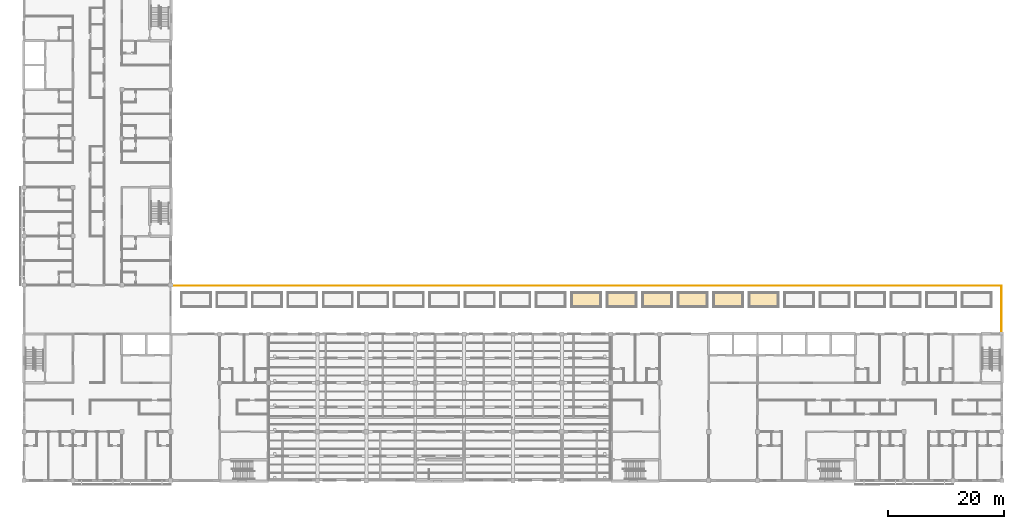
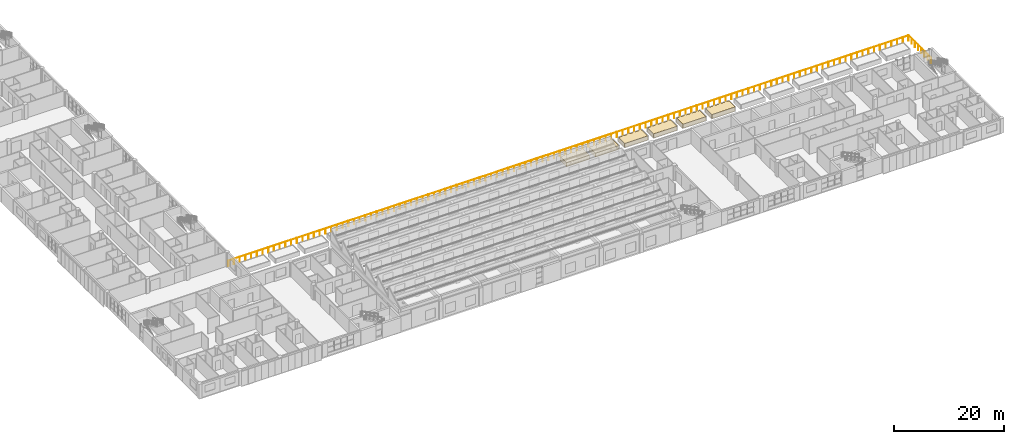
# One storey, part 58 of 61: 6 coverings, 1 railing.
"""IFC4 building model written with IfcOpenShell, lengths in metres."""

from ifc_helpers import new_model, si_unit, direction, frame, origin, origin_2d, place, context, subcontext, project, spatial, polyline, circle, outline, extrude, material, layer, layer_set, type_object, element, save


model = new_model("IFC4")

# Units and contexts
model_context = context("Model", 3, precision=1e-05, world=origin(), true_north=direction((0.0, 1.0)))
body_context = subcontext(model_context, "Body", "Model", "MODEL_VIEW")
ifc_project = project(units=[si_unit("LENGTHUNIT", "METRE"), si_unit("AREAUNIT", "SQUARE_METRE"), si_unit("VOLUMEUNIT", "CUBIC_METRE"), si_unit("PLANEANGLEUNIT", "RADIAN"), si_unit("MASSUNIT", "GRAM", prefix="KILO")], contexts=[model_context])

# Site, building, storey
site_placement = place(None, origin())
site = spatial("IfcSite", under=ifc_project, at=site_placement, CompositionType="ELEMENT")
building_placement = place(site_placement, origin())
building = spatial("IfcBuilding", under=site, at=building_placement, Name="Yavir Park General Hospital", CompositionType="ELEMENT")
storey_placement = place(building_placement, frame((0.0, 0.0, 15.300048828125)))
storey = spatial("IfcBuildingStorey", under=building, at=storey_placement, Name="L03", CompositionType="ELEMENT", Elevation=15.300048828125)

# Coverings
ifc_material_1 = material(Name="Green roof substrate")
ifc_layer = layer(ifc_material_1, 0.89990234375)
ifc_layer_set = layer_set([ifc_layer], Name="Green roof substrate")
covering_type = type_object("IfcCoveringType", Name="Green roof substrate 900", PredefinedType="FLOORING", material=ifc_layer_set)
covering_1_placement = place(storey_placement, origin())
element("IfcCovering", 1, at=covering_1_placement, inside=storey, type_object=covering_type, Name="Planting bed substrate 12", PredefinedType="FLOORING", context=body_context, shape_type="SweptSolid", body=[
    extrude(outline(polyline([(94.175048828125, 29.97509765625), (99.02490234375, 29.97509765625), (99.02490234375, 32.22509765625), (94.175048828125, 32.22509765625), (94.175048828125, 29.97509765625)])), origin(), (0.0, 0.0, 1.0), 0.89990234375),
])
covering_2_placement = place(storey_placement, origin())
element("IfcCovering", 2, at=covering_2_placement, inside=storey, type_object=covering_type, Name="Planting bed substrate 13", PredefinedType="FLOORING", context=body_context, shape_type="SweptSolid", body=[
    extrude(outline(polyline([(100.270751953125, 29.97509765625), (105.12060546875, 29.97509765625), (105.12060546875, 32.22509765625), (100.270751953125, 32.22509765625), (100.270751953125, 29.97509765625)])), origin(), (0.0, 0.0, 1.0), 0.89990234375),
])
covering_3_placement = place(storey_placement, origin())
element("IfcCovering", 3, at=covering_3_placement, inside=storey, type_object=covering_type, Name="Planting bed substrate 14", PredefinedType="FLOORING", context=body_context, shape_type="SweptSolid", body=[
    extrude(outline(polyline([(106.3662109375, 29.97509765625), (111.21630859375, 29.97509765625), (111.21630859375, 32.22509765625), (106.3662109375, 32.22509765625), (106.3662109375, 29.97509765625)])), origin(), (0.0, 0.0, 1.0), 0.89990234375),
])
covering_4_placement = place(storey_placement, origin())
element("IfcCovering", 4, at=covering_4_placement, inside=storey, type_object=covering_type, Name="Planting bed substrate 15", PredefinedType="FLOORING", context=body_context, shape_type="SweptSolid", body=[
    extrude(outline(polyline([(112.4619140625, 29.97509765625), (117.31201171875, 29.97509765625), (117.31201171875, 32.22509765625), (112.4619140625, 32.22509765625), (112.4619140625, 29.97509765625)])), origin(), (0.0, 0.0, 1.0), 0.89990234375),
])
covering_5_placement = place(storey_placement, origin())
element("IfcCovering", 5, at=covering_5_placement, inside=storey, type_object=covering_type, Name="Planting bed substrate 16", PredefinedType="FLOORING", context=body_context, shape_type="SweptSolid", body=[
    extrude(outline(polyline([(118.5576171875, 29.97509765625), (123.40771484375, 29.97509765625), (123.40771484375, 32.22509765625), (118.5576171875, 32.22509765625), (118.5576171875, 29.97509765625)])), origin(), (0.0, 0.0, 1.0), 0.89990234375),
])
covering_6_placement = place(storey_placement, origin())
element("IfcCovering", 6, at=covering_6_placement, inside=storey, type_object=covering_type, Name="Planting bed substrate 17", PredefinedType="FLOORING", context=body_context, shape_type="SweptSolid", body=[
    extrude(outline(polyline([(124.6533203125, 29.97509765625), (129.50341796875, 29.97509765625), (129.50341796875, 32.22509765625), (124.6533203125, 32.22509765625), (124.6533203125, 29.97509765625)])), origin(), (0.0, 0.0, 1.0), 0.89990234375),
])

# Railing
ifc_material_2 = material(Name="Steel S355", Category="steel")
railing_type = type_object("IfcRailingType", Name="Terrace guard 1200", PredefinedType="GUARDRAIL", material=ifc_material_2)
railing_placement = place(storey_placement, frame((167.89990234375, 25.375, 0.0)))
element("IfcRailing", 7, at=railing_placement, inside=storey, type_object=railing_type, Name="Terrace guard 1", PredefinedType="GUARDRAIL", context=body_context, shape_type="SweptSolid", body=[
    extrude(circle(Radius=0.02490234375, at=origin_2d()), frame((0.0, 0.0, 1.1748046875), z_axis=(0.0, 1.0, 0.0), x_axis=(-1.0, 0.0, 0.0)), (0.0, 0.0, 1.0), 8.125),
    extrude(circle(Radius=0.02490234375, at=origin_2d()), frame((0.0, 8.125, 1.1748046875), z_axis=(-1.0, 0.0, 0.0), x_axis=(0.0, -1.0, 0.0)), (0.0, 0.0, 1.0), 142.52490234375),
    extrude(circle(Radius=0.02490234375, at=origin_2d()), origin(), (0.0, 0.0, 1.0), 1.14990234375),
    extrude(circle(Radius=0.02490234375, at=origin_2d()), frame((0.0, 1.16064453125, 0.0)), (0.0, 0.0, 1.0), 1.14990234375),
    extrude(circle(Radius=0.02490234375, at=origin_2d()), frame((0.0, 2.321533203125, 0.0)), (0.0, 0.0, 1.0), 1.14990234375),
    extrude(circle(Radius=0.02490234375, at=origin_2d()), frame((0.0, 3.482177734375, 0.0)), (0.0, 0.0, 1.0), 1.14990234375),
    extrude(circle(Radius=0.02490234375, at=origin_2d()), frame((0.0, 4.642822265625, 0.0)), (0.0, 0.0, 1.0), 1.14990234375),
    extrude(circle(Radius=0.02490234375, at=origin_2d()), frame((0.0, 5.803466796875, 0.0)), (0.0, 0.0, 1.0), 1.14990234375),
    extrude(circle(Radius=0.02490234375, at=origin_2d()), frame((0.0, 6.96435546875, 0.0)), (0.0, 0.0, 1.0), 1.14990234375),
    extrude(circle(Radius=0.02490234375, at=origin_2d()), frame((0.0, 8.125, 0.0)), (0.0, 0.0, 1.0), 1.14990234375),
    extrude(circle(Radius=0.02490234375, at=origin_2d()), frame((-1.19775390625, 8.125, 0.0)), (0.0, 0.0, 1.0), 1.14990234375),
    extrude(circle(Radius=0.02490234375, at=origin_2d()), frame((-2.395263671875, 8.125, 0.0)), (0.0, 0.0, 1.0), 1.14990234375),
    extrude(circle(Radius=0.02490234375, at=origin_2d()), frame((-3.593017578125, 8.125, 0.0)), (0.0, 0.0, 1.0), 1.14990234375),
    extrude(circle(Radius=0.02490234375, at=origin_2d()), frame((-4.790771484375, 8.125, 0.0)), (0.0, 0.0, 1.0), 1.14990234375),
    extrude(circle(Radius=0.02490234375, at=origin_2d()), frame((-5.988525390625, 8.125, 0.0)), (0.0, 0.0, 1.0), 1.14990234375),
    extrude(circle(Radius=0.02490234375, at=origin_2d()), frame((-7.18603515625, 8.125, 0.0)), (0.0, 0.0, 1.0), 1.14990234375),
    extrude(circle(Radius=0.02490234375, at=origin_2d()), frame((-8.3837890625, 8.125, 0.0)), (0.0, 0.0, 1.0), 1.14990234375),
    extrude(circle(Radius=0.02490234375, at=origin_2d()), frame((-9.58154296875, 8.125, 0.0)), (0.0, 0.0, 1.0), 1.14990234375),
    extrude(circle(Radius=0.02490234375, at=origin_2d()), frame((-10.779296875, 8.125, 0.0)), (0.0, 0.0, 1.0), 1.14990234375),
    extrude(circle(Radius=0.02490234375, at=origin_2d()), frame((-11.976806640625, 8.125, 0.0)), (0.0, 0.0, 1.0), 1.14990234375),
    extrude(circle(Radius=0.02490234375, at=origin_2d()), frame((-13.174560546875, 8.125, 0.0)), (0.0, 0.0, 1.0), 1.14990234375),
    extrude(circle(Radius=0.02490234375, at=origin_2d()), frame((-14.372314453125, 8.125, 0.0)), (0.0, 0.0, 1.0), 1.14990234375),
    extrude(circle(Radius=0.02490234375, at=origin_2d()), frame((-15.570068359375, 8.125, 0.0)), (0.0, 0.0, 1.0), 1.14990234375),
    extrude(circle(Radius=0.02490234375, at=origin_2d()), frame((-16.767578125, 8.125, 0.0)), (0.0, 0.0, 1.0), 1.14990234375),
    extrude(circle(Radius=0.02490234375, at=origin_2d()), frame((-17.96533203125, 8.125, 0.0)), (0.0, 0.0, 1.0), 1.14990234375),
    extrude(circle(Radius=0.02490234375, at=origin_2d()), frame((-19.1630859375, 8.125, 0.0)), (0.0, 0.0, 1.0), 1.14990234375),
    extrude(circle(Radius=0.02490234375, at=origin_2d()), frame((-20.360595703125, 8.125, 0.0)), (0.0, 0.0, 1.0), 1.14990234375),
    extrude(circle(Radius=0.02490234375, at=origin_2d()), frame((-21.558349609375, 8.125, 0.0)), (0.0, 0.0, 1.0), 1.14990234375),
    extrude(circle(Radius=0.02490234375, at=origin_2d()), frame((-22.756103515625, 8.125, 0.0)), (0.0, 0.0, 1.0), 1.14990234375),
    extrude(circle(Radius=0.02490234375, at=origin_2d()), frame((-23.953857421875, 8.125, 0.0)), (0.0, 0.0, 1.0), 1.14990234375),
    extrude(circle(Radius=0.02490234375, at=origin_2d()), frame((-25.1513671875, 8.125, 0.0)), (0.0, 0.0, 1.0), 1.14990234375),
    extrude(circle(Radius=0.02490234375, at=origin_2d()), frame((-26.34912109375, 8.125, 0.0)), (0.0, 0.0, 1.0), 1.14990234375),
    extrude(circle(Radius=0.02490234375, at=origin_2d()), frame((-27.546875, 8.125, 0.0)), (0.0, 0.0, 1.0), 1.14990234375),
    extrude(circle(Radius=0.02490234375, at=origin_2d()), frame((-28.74462890625, 8.125, 0.0)), (0.0, 0.0, 1.0), 1.14990234375),
    extrude(circle(Radius=0.02490234375, at=origin_2d()), frame((-29.942138671875, 8.125, 0.0)), (0.0, 0.0, 1.0), 1.14990234375),
    extrude(circle(Radius=0.02490234375, at=origin_2d()), frame((-31.139892578125, 8.125, 0.0)), (0.0, 0.0, 1.0), 1.14990234375),
    extrude(circle(Radius=0.02490234375, at=origin_2d()), frame((-32.337646484375, 8.125, 0.0)), (0.0, 0.0, 1.0), 1.14990234375),
    extrude(circle(Radius=0.02490234375, at=origin_2d()), frame((-33.53515625, 8.125, 0.0)), (0.0, 0.0, 1.0), 1.14990234375),
    extrude(circle(Radius=0.02490234375, at=origin_2d()), frame((-34.73291015625, 8.125, 0.0)), (0.0, 0.0, 1.0), 1.14990234375),
    extrude(circle(Radius=0.02490234375, at=origin_2d()), frame((-35.9306640625, 8.125, 0.0)), (0.0, 0.0, 1.0), 1.14990234375),
    extrude(circle(Radius=0.02490234375, at=origin_2d()), frame((-37.12841796875, 8.125, 0.0)), (0.0, 0.0, 1.0), 1.14990234375),
    extrude(circle(Radius=0.02490234375, at=origin_2d()), frame((-38.325927734375, 8.125, 0.0)), (0.0, 0.0, 1.0), 1.14990234375),
    extrude(circle(Radius=0.02490234375, at=origin_2d()), frame((-39.523681640625, 8.125, 0.0)), (0.0, 0.0, 1.0), 1.14990234375),
    extrude(circle(Radius=0.02490234375, at=origin_2d()), frame((-40.721435546875, 8.125, 0.0)), (0.0, 0.0, 1.0), 1.14990234375),
    extrude(circle(Radius=0.02490234375, at=origin_2d()), frame((-41.919189453125, 8.125, 0.0)), (0.0, 0.0, 1.0), 1.14990234375),
    extrude(circle(Radius=0.02490234375, at=origin_2d()), frame((-43.11669921875, 8.125, 0.0)), (0.0, 0.0, 1.0), 1.14990234375),
    extrude(circle(Radius=0.02490234375, at=origin_2d()), frame((-44.314453125, 8.125, 0.0)), (0.0, 0.0, 1.0), 1.14990234375),
    extrude(circle(Radius=0.02490234375, at=origin_2d()), frame((-45.51220703125, 8.125, 0.0)), (0.0, 0.0, 1.0), 1.14990234375),
    extrude(circle(Radius=0.02490234375, at=origin_2d()), frame((-46.7099609375, 8.125, 0.0)), (0.0, 0.0, 1.0), 1.14990234375),
    extrude(circle(Radius=0.02490234375, at=origin_2d()), frame((-47.907470703125, 8.125, 0.0)), (0.0, 0.0, 1.0), 1.14990234375),
    extrude(circle(Radius=0.02490234375, at=origin_2d()), frame((-49.105224609375, 8.125, 0.0)), (0.0, 0.0, 1.0), 1.14990234375),
    extrude(circle(Radius=0.02490234375, at=origin_2d()), frame((-50.302978515625, 8.125, 0.0)), (0.0, 0.0, 1.0), 1.14990234375),
    extrude(circle(Radius=0.02490234375, at=origin_2d()), frame((-51.50048828125, 8.125, 0.0)), (0.0, 0.0, 1.0), 1.14990234375),
    extrude(circle(Radius=0.02490234375, at=origin_2d()), frame((-52.6982421875, 8.125, 0.0)), (0.0, 0.0, 1.0), 1.14990234375),
    extrude(circle(Radius=0.02490234375, at=origin_2d()), frame((-53.89599609375, 8.125, 0.0)), (0.0, 0.0, 1.0), 1.14990234375),
    extrude(circle(Radius=0.02490234375, at=origin_2d()), frame((-55.09375, 8.125, 0.0)), (0.0, 0.0, 1.0), 1.14990234375),
    extrude(circle(Radius=0.02490234375, at=origin_2d()), frame((-56.291259765625, 8.125, 0.0)), (0.0, 0.0, 1.0), 1.14990234375),
    extrude(circle(Radius=0.02490234375, at=origin_2d()), frame((-57.489013671875, 8.125, 0.0)), (0.0, 0.0, 1.0), 1.14990234375),
    extrude(circle(Radius=0.02490234375, at=origin_2d()), frame((-58.686767578125, 8.125, 0.0)), (0.0, 0.0, 1.0), 1.14990234375),
    extrude(circle(Radius=0.02490234375, at=origin_2d()), frame((-59.884521484375, 8.125, 0.0)), (0.0, 0.0, 1.0), 1.14990234375),
    extrude(circle(Radius=0.02490234375, at=origin_2d()), frame((-61.08203125, 8.125, 0.0)), (0.0, 0.0, 1.0), 1.14990234375),
    extrude(circle(Radius=0.02490234375, at=origin_2d()), frame((-62.27978515625, 8.125, 0.0)), (0.0, 0.0, 1.0), 1.14990234375),
    extrude(circle(Radius=0.02490234375, at=origin_2d()), frame((-63.4775390625, 8.125, 0.0)), (0.0, 0.0, 1.0), 1.14990234375),
    extrude(circle(Radius=0.02490234375, at=origin_2d()), frame((-64.675048828125, 8.125, 0.0)), (0.0, 0.0, 1.0), 1.14990234375),
    extrude(circle(Radius=0.02490234375, at=origin_2d()), frame((-65.872802734375, 8.125, 0.0)), (0.0, 0.0, 1.0), 1.14990234375),
    extrude(circle(Radius=0.02490234375, at=origin_2d()), frame((-67.070556640625, 8.125, 0.0)), (0.0, 0.0, 1.0), 1.14990234375),
    extrude(circle(Radius=0.02490234375, at=origin_2d()), frame((-68.268310546875, 8.125, 0.0)), (0.0, 0.0, 1.0), 1.14990234375),
    extrude(circle(Radius=0.02490234375, at=origin_2d()), frame((-69.4658203125, 8.125, 0.0)), (0.0, 0.0, 1.0), 1.14990234375),
    extrude(circle(Radius=0.02490234375, at=origin_2d()), frame((-70.66357421875, 8.125, 0.0)), (0.0, 0.0, 1.0), 1.14990234375),
    extrude(circle(Radius=0.02490234375, at=origin_2d()), frame((-71.861328125, 8.125, 0.0)), (0.0, 0.0, 1.0), 1.14990234375),
    extrude(circle(Radius=0.02490234375, at=origin_2d()), frame((-73.05908203125, 8.125, 0.0)), (0.0, 0.0, 1.0), 1.14990234375),
    extrude(circle(Radius=0.02490234375, at=origin_2d()), frame((-74.256591796875, 8.125, 0.0)), (0.0, 0.0, 1.0), 1.14990234375),
    extrude(circle(Radius=0.02490234375, at=origin_2d()), frame((-75.454345703125, 8.125, 0.0)), (0.0, 0.0, 1.0), 1.14990234375),
    extrude(circle(Radius=0.02490234375, at=origin_2d()), frame((-76.652099609375, 8.125, 0.0)), (0.0, 0.0, 1.0), 1.14990234375),
    extrude(circle(Radius=0.02490234375, at=origin_2d()), frame((-77.849853515625, 8.125, 0.0)), (0.0, 0.0, 1.0), 1.14990234375),
    extrude(circle(Radius=0.02490234375, at=origin_2d()), frame((-79.04736328125, 8.125, 0.0)), (0.0, 0.0, 1.0), 1.14990234375),
    extrude(circle(Radius=0.02490234375, at=origin_2d()), frame((-80.2451171875, 8.125, 0.0)), (0.0, 0.0, 1.0), 1.14990234375),
    extrude(circle(Radius=0.02490234375, at=origin_2d()), frame((-81.44287109375, 8.125, 0.0)), (0.0, 0.0, 1.0), 1.14990234375),
    extrude(circle(Radius=0.02490234375, at=origin_2d()), frame((-82.640380859375, 8.125, 0.0)), (0.0, 0.0, 1.0), 1.14990234375),
    extrude(circle(Radius=0.02490234375, at=origin_2d()), frame((-83.838134765625, 8.125, 0.0)), (0.0, 0.0, 1.0), 1.14990234375),
    extrude(circle(Radius=0.02490234375, at=origin_2d()), frame((-85.035888671875, 8.125, 0.0)), (0.0, 0.0, 1.0), 1.14990234375),
    extrude(circle(Radius=0.02490234375, at=origin_2d()), frame((-86.233642578125, 8.125, 0.0)), (0.0, 0.0, 1.0), 1.14990234375),
    extrude(circle(Radius=0.02490234375, at=origin_2d()), frame((-87.43115234375, 8.125, 0.0)), (0.0, 0.0, 1.0), 1.14990234375),
    extrude(circle(Radius=0.02490234375, at=origin_2d()), frame((-88.62890625, 8.125, 0.0)), (0.0, 0.0, 1.0), 1.14990234375),
    extrude(circle(Radius=0.02490234375, at=origin_2d()), frame((-89.82666015625, 8.125, 0.0)), (0.0, 0.0, 1.0), 1.14990234375),
    extrude(circle(Radius=0.02490234375, at=origin_2d()), frame((-91.0244140625, 8.125, 0.0)), (0.0, 0.0, 1.0), 1.14990234375),
    extrude(circle(Radius=0.02490234375, at=origin_2d()), frame((-92.221923828125, 8.125, 0.0)), (0.0, 0.0, 1.0), 1.14990234375),
    extrude(circle(Radius=0.02490234375, at=origin_2d()), frame((-93.419677734375, 8.125, 0.0)), (0.0, 0.0, 1.0), 1.14990234375),
    extrude(circle(Radius=0.02490234375, at=origin_2d()), frame((-94.617431640625, 8.125, 0.0)), (0.0, 0.0, 1.0), 1.14990234375),
    extrude(circle(Radius=0.02490234375, at=origin_2d()), frame((-95.81494140625, 8.125, 0.0)), (0.0, 0.0, 1.0), 1.14990234375),
    extrude(circle(Radius=0.02490234375, at=origin_2d()), frame((-97.0126953125, 8.125, 0.0)), (0.0, 0.0, 1.0), 1.14990234375),
    extrude(circle(Radius=0.02490234375, at=origin_2d()), frame((-98.21044921875, 8.125, 0.0)), (0.0, 0.0, 1.0), 1.14990234375),
    extrude(circle(Radius=0.02490234375, at=origin_2d()), frame((-99.408203125, 8.125, 0.0)), (0.0, 0.0, 1.0), 1.14990234375),
    extrude(circle(Radius=0.02490234375, at=origin_2d()), frame((-100.605712890625, 8.125, 0.0)), (0.0, 0.0, 1.0), 1.14990234375),
    extrude(circle(Radius=0.02490234375, at=origin_2d()), frame((-101.803466796875, 8.125, 0.0)), (0.0, 0.0, 1.0), 1.14990234375),
    extrude(circle(Radius=0.02490234375, at=origin_2d()), frame((-103.001220703125, 8.125, 0.0)), (0.0, 0.0, 1.0), 1.14990234375),
    extrude(circle(Radius=0.02490234375, at=origin_2d()), frame((-104.198974609375, 8.125, 0.0)), (0.0, 0.0, 1.0), 1.14990234375),
    extrude(circle(Radius=0.02490234375, at=origin_2d()), frame((-105.396484375, 8.125, 0.0)), (0.0, 0.0, 1.0), 1.14990234375),
    extrude(circle(Radius=0.02490234375, at=origin_2d()), frame((-106.59423828125, 8.125, 0.0)), (0.0, 0.0, 1.0), 1.14990234375),
    extrude(circle(Radius=0.02490234375, at=origin_2d()), frame((-107.7919921875, 8.125, 0.0)), (0.0, 0.0, 1.0), 1.14990234375),
    extrude(circle(Radius=0.02490234375, at=origin_2d()), frame((-108.98974609375, 8.125, 0.0)), (0.0, 0.0, 1.0), 1.14990234375),
    extrude(circle(Radius=0.02490234375, at=origin_2d()), frame((-110.187255859375, 8.125, 0.0)), (0.0, 0.0, 1.0), 1.14990234375),
    extrude(circle(Radius=0.02490234375, at=origin_2d()), frame((-111.385009765625, 8.125, 0.0)), (0.0, 0.0, 1.0), 1.14990234375),
    extrude(circle(Radius=0.02490234375, at=origin_2d()), frame((-112.582763671875, 8.125, 0.0)), (0.0, 0.0, 1.0), 1.14990234375),
    extrude(circle(Radius=0.02490234375, at=origin_2d()), frame((-113.7802734375, 8.125, 0.0)), (0.0, 0.0, 1.0), 1.14990234375),
    extrude(circle(Radius=0.02490234375, at=origin_2d()), frame((-114.97802734375, 8.125, 0.0)), (0.0, 0.0, 1.0), 1.14990234375),
    extrude(circle(Radius=0.02490234375, at=origin_2d()), frame((-116.17578125, 8.125, 0.0)), (0.0, 0.0, 1.0), 1.14990234375),
    extrude(circle(Radius=0.02490234375, at=origin_2d()), frame((-117.37353515625, 8.125, 0.0)), (0.0, 0.0, 1.0), 1.14990234375),
    extrude(circle(Radius=0.02490234375, at=origin_2d()), frame((-118.571044921875, 8.125, 0.0)), (0.0, 0.0, 1.0), 1.14990234375),
    extrude(circle(Radius=0.02490234375, at=origin_2d()), frame((-119.768798828125, 8.125, 0.0)), (0.0, 0.0, 1.0), 1.14990234375),
    extrude(circle(Radius=0.02490234375, at=origin_2d()), frame((-120.966552734375, 8.125, 0.0)), (0.0, 0.0, 1.0), 1.14990234375),
    extrude(circle(Radius=0.02490234375, at=origin_2d()), frame((-122.164306640625, 8.125, 0.0)), (0.0, 0.0, 1.0), 1.14990234375),
    extrude(circle(Radius=0.02490234375, at=origin_2d()), frame((-123.36181640625, 8.125, 0.0)), (0.0, 0.0, 1.0), 1.14990234375),
    extrude(circle(Radius=0.02490234375, at=origin_2d()), frame((-124.5595703125, 8.125, 0.0)), (0.0, 0.0, 1.0), 1.14990234375),
    extrude(circle(Radius=0.02490234375, at=origin_2d()), frame((-125.75732421875, 8.125, 0.0)), (0.0, 0.0, 1.0), 1.14990234375),
    extrude(circle(Radius=0.02490234375, at=origin_2d()), frame((-126.954833984375, 8.125, 0.0)), (0.0, 0.0, 1.0), 1.14990234375),
    extrude(circle(Radius=0.02490234375, at=origin_2d()), frame((-128.152587890625, 8.125, 0.0)), (0.0, 0.0, 1.0), 1.14990234375),
    extrude(circle(Radius=0.02490234375, at=origin_2d()), frame((-129.350341796875, 8.125, 0.0)), (0.0, 0.0, 1.0), 1.14990234375),
    extrude(circle(Radius=0.02490234375, at=origin_2d()), frame((-130.548095703125, 8.125, 0.0)), (0.0, 0.0, 1.0), 1.14990234375),
    extrude(circle(Radius=0.02490234375, at=origin_2d()), frame((-131.74560546875, 8.125, 0.0)), (0.0, 0.0, 1.0), 1.14990234375),
    extrude(circle(Radius=0.02490234375, at=origin_2d()), frame((-132.943359375, 8.125, 0.0)), (0.0, 0.0, 1.0), 1.14990234375),
    extrude(circle(Radius=0.02490234375, at=origin_2d()), frame((-134.14111328125, 8.125, 0.0)), (0.0, 0.0, 1.0), 1.14990234375),
    extrude(circle(Radius=0.02490234375, at=origin_2d()), frame((-135.3388671875, 8.125, 0.0)), (0.0, 0.0, 1.0), 1.14990234375),
    extrude(circle(Radius=0.02490234375, at=origin_2d()), frame((-136.536376953125, 8.125, 0.0)), (0.0, 0.0, 1.0), 1.14990234375),
    extrude(circle(Radius=0.02490234375, at=origin_2d()), frame((-137.734130859375, 8.125, 0.0)), (0.0, 0.0, 1.0), 1.14990234375),
    extrude(circle(Radius=0.02490234375, at=origin_2d()), frame((-138.931884765625, 8.125, 0.0)), (0.0, 0.0, 1.0), 1.14990234375),
    extrude(circle(Radius=0.02490234375, at=origin_2d()), frame((-140.129638671875, 8.125, 0.0)), (0.0, 0.0, 1.0), 1.14990234375),
    extrude(circle(Radius=0.02490234375, at=origin_2d()), frame((-141.3271484375, 8.125, 0.0)), (0.0, 0.0, 1.0), 1.14990234375),
    extrude(circle(Radius=0.02490234375, at=origin_2d()), frame((-142.52490234375, 8.125, 0.0)), (0.0, 0.0, 1.0), 1.14990234375),
])

save(model, "model.ifc")
